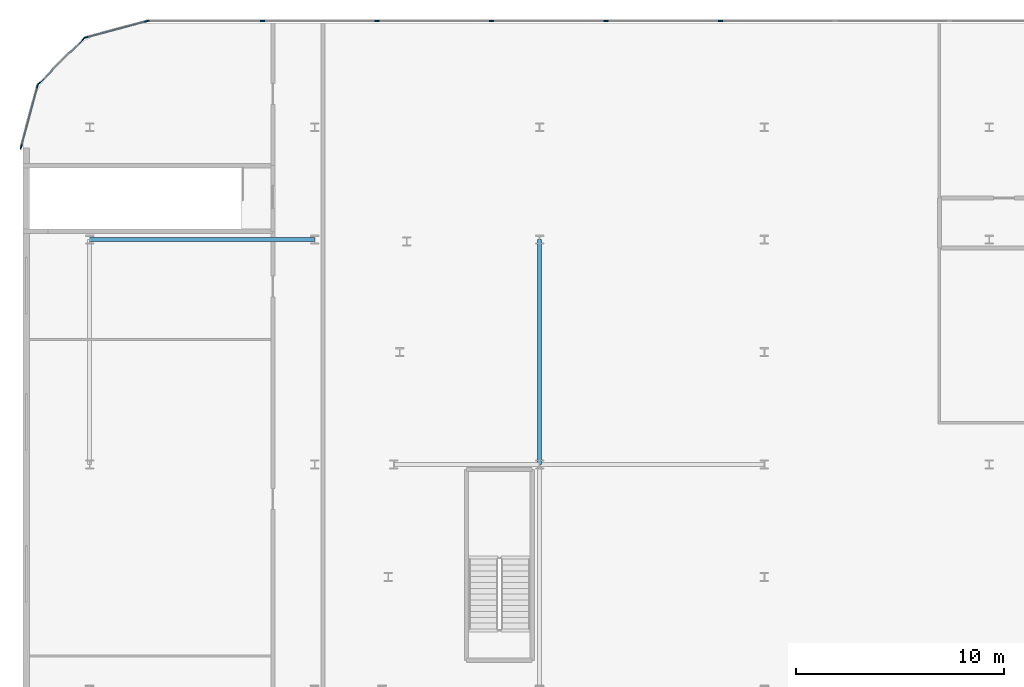
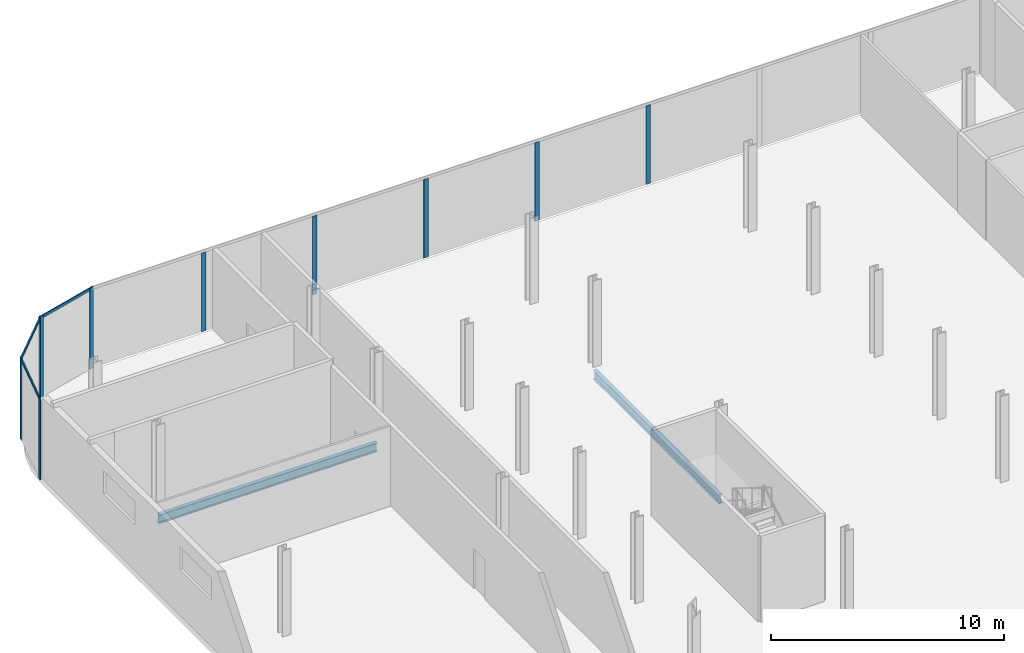
# One storey, part 16 of 43: 14 members, 2 beams, 4 elements without a shape of their own.
"""IFC4 building model written with IfcOpenShell, lengths in metres."""

from ifc_helpers import new_model, si_unit, direction, frame, origin, origin_2d, place, context, subcontext, project, spatial, rectangle, i_section, extrude, material, layer, layer_set, material_profile, profile_set, type_object, element, aggregate, save


model = new_model("IFC4")

# Units and contexts
model_context = context("Model", 3, precision=1e-05, world=origin(), true_north=direction((0.0, 1.0)))
body_context = subcontext(model_context, "Body", "Model", "MODEL_VIEW")
ifc_project = project(units=[si_unit("LENGTHUNIT", "METRE"), si_unit("AREAUNIT", "SQUARE_METRE"), si_unit("VOLUMEUNIT", "CUBIC_METRE"), si_unit("PLANEANGLEUNIT", "RADIAN"), si_unit("MASSUNIT", "GRAM", prefix="KILO")], contexts=[model_context])

# Site, building, storey
site_placement = place(None, origin())
site = spatial("IfcSite", under=ifc_project, at=site_placement, CompositionType="ELEMENT")
building_placement = place(site_placement, origin())
building = spatial("IfcBuilding", under=site, at=building_placement, Name="Kheshtan School and Residences Tower", CompositionType="ELEMENT")
storey_placement = place(building_placement, frame((0.0, 0.0, 26.0)))
storey = spatial("IfcBuildingStorey", under=building, at=storey_placement, Name="L05", CompositionType="ELEMENT", Elevation=26.0)

# Beams
ifc_material_1 = material(Name="Steel ASTM A992 Grade 50", Category="steel")
ifc_material_profile_1 = material_profile(ifc_material_1, i_section(OverallWidth=0.194091796875, OverallDepth=0.468994140625, WebThickness=0.0126953125, FlangeThickness=0.0205078125, FilletRadius=0.01416015625, at=origin_2d()), Name="W460x106")
ifc_profile_set_1 = profile_set([ifc_material_profile_1], Name="Steel ASTM A992 Grade 50")
beam_type = type_object("IfcBeamType", Name="Beam PB2 W460x106 ASTM A992 Grade 50", PredefinedType="BEAM", material=ifc_profile_set_1)
for number, where, z_axis, x_axis, name in (
    (1, (36.800048828125, 88.800048828125, -0.534423828125), (0.0, 1.0, 0.0), (-1.0, 0.0, 0.0), "Podium floor beam PB2"),
    (2, (15.199951171875, 99.60009765625, -0.534423828125), (1.0, 0.0, 0.0), (0.0, 1.0, 0.0), "Podium floor beam PB2"),
):
    element("IfcBeam", number, at=place(storey_placement, frame(where, z_axis=z_axis, x_axis=x_axis)), inside=storey, type_object=beam_type, Name=name, PredefinedType="BEAM", context=body_context, shape_type="SweptSolid", body=[
        extrude(i_section(OverallWidth=0.194091796875, OverallDepth=0.468994140625, WebThickness=0.0126953125, FlangeThickness=0.0205078125, FilletRadius=0.01416015625, at=origin_2d()), origin(), (0.0, 0.0, 1.0), 10.800048828125),
    ])

# Curtain wall, members
ifc_material_2 = material(Name="Clear low-e glass in thermally broken aluminium frame", Category="aluminium")
ifc_layer = layer(ifc_material_2, 0.22509765625)
ifc_layer_set = layer_set([ifc_layer], Name="Curtain wall CW-P")
curtain_wall_type = type_object("IfcCurtainWallType", Name="Curtain wall CW-P", PredefinedType="NOTDEFINED", material=ifc_layer_set)
curtain_wall_1_placement = place(storey_placement, origin())
curtain_wall_1 = element("IfcCurtainWall", 3, at=curtain_wall_1_placement, inside=storey, type_object=curtain_wall_type, Name="Curtain wall CWP1a", PredefinedType="NOTDEFINED")
ifc_material_3 = material(Name="Thermally broken aluminium, dark bronze anodised", Category="aluminium")
ifc_material_profile_2 = material_profile(ifc_material_3, rectangle(XDim=0.06005859375, YDim=0.22509765625, at=origin_2d()), Name="CW-P mullion 60x225")
ifc_profile_set_2 = profile_set([ifc_material_profile_2], Name="Thermally broken aluminium, dark bronze anodised")
member_type_1 = type_object("IfcMemberType", Name="CW-P mullion 60x225", PredefinedType="MULLION", material=ifc_profile_set_2)
member_1_placement = place(storey_placement, frame((11.9111328125, 104.054931640625, 0.0), z_axis=(0.0, 0.0, 1.0), x_axis=(-0.965913556273, 0.258864833085, 0.0)))
member_1 = element("IfcMember", 4, at=member_1_placement, type_object=member_type_1, Name="CWP1a mullion 1", PredefinedType="MULLION", context=body_context, shape_type="SweptSolid", body=[
    extrude(rectangle(XDim=0.06005859375, YDim=0.22509765625, at=origin_2d()), origin(), (0.0, 0.0, 1.0), 4.25),
])
member_2_placement = place(storey_placement, frame((12.69970703125, 106.996826171875, 0.0), z_axis=(0.0, 0.0, 1.0), x_axis=(-0.965913556273, 0.258864833085, 0.0)))
member_2 = element("IfcMember", 5, at=member_2_placement, type_object=member_type_1, Name="CWP1a mullion 2", PredefinedType="MULLION", context=body_context, shape_type="SweptSolid", body=[
    extrude(rectangle(XDim=0.06005859375, YDim=0.22509765625, at=origin_2d()), origin(), (0.0, 0.0, 1.0), 4.25),
])

curtain_wall_2_placement = place(storey_placement, origin())
curtain_wall_2 = element("IfcCurtainWall", 6, at=curtain_wall_2_placement, inside=storey, type_object=curtain_wall_type, Name="Curtain wall CWP2a", PredefinedType="NOTDEFINED")
member_3_placement = place(storey_placement, frame((12.75439453125, 107.092041015625, 0.0), z_axis=(0.0, 0.0, 1.0), x_axis=(-0.707106781187, 0.707106781187, 0.0)))
member_3 = element("IfcMember", 7, at=member_3_placement, type_object=member_type_1, Name="CWP2a mullion 1", PredefinedType="MULLION", context=body_context, shape_type="SweptSolid", body=[
    extrude(rectangle(XDim=0.06005859375, YDim=0.22509765625, at=origin_2d()), origin(), (0.0, 0.0, 1.0), 4.25),
])
member_4_placement = place(storey_placement, frame((14.907958984375, 109.24560546875, 0.0), z_axis=(0.0, 0.0, 1.0), x_axis=(-0.707106781187, 0.707106781187, 0.0)))
member_4 = element("IfcMember", 8, at=member_4_placement, type_object=member_type_1, Name="CWP2a mullion 2", PredefinedType="MULLION", context=body_context, shape_type="SweptSolid", body=[
    extrude(rectangle(XDim=0.06005859375, YDim=0.22509765625, at=origin_2d()), origin(), (0.0, 0.0, 1.0), 4.25),
])

curtain_wall_3_placement = place(storey_placement, origin())
curtain_wall_3 = element("IfcCurtainWall", 9, at=curtain_wall_3_placement, inside=storey, type_object=curtain_wall_type, Name="Curtain wall CWP3a", PredefinedType="NOTDEFINED")
member_5_placement = place(storey_placement, frame((15.003173828125, 109.30029296875, 0.0), z_axis=(0.0, 0.0, 1.0), x_axis=(-0.258864833085, 0.965913556273, 0.0)))
member_5 = element("IfcMember", 10, at=member_5_placement, type_object=member_type_1, Name="CWP3a mullion 1", PredefinedType="MULLION", context=body_context, shape_type="SweptSolid", body=[
    extrude(rectangle(XDim=0.06005859375, YDim=0.22509765625, at=origin_2d()), origin(), (0.0, 0.0, 1.0), 4.25),
])
member_6_placement = place(storey_placement, frame((17.945068359375, 110.0888671875, 0.0), z_axis=(0.0, 0.0, 1.0), x_axis=(-0.258864833085, 0.965913556273, 0.0)))
member_6 = element("IfcMember", 11, at=member_6_placement, type_object=member_type_1, Name="CWP3a mullion 2", PredefinedType="MULLION", context=body_context, shape_type="SweptSolid", body=[
    extrude(rectangle(XDim=0.06005859375, YDim=0.22509765625, at=origin_2d()), origin(), (0.0, 0.0, 1.0), 4.25),
])

curtain_wall_4_placement = place(storey_placement, origin())
curtain_wall_4 = element("IfcCurtainWall", 12, at=curtain_wall_4_placement, inside=storey, type_object=curtain_wall_type, Name="Curtain wall CWP4a", PredefinedType="NOTDEFINED")
member_7_placement = place(storey_placement, frame((23.498291015625, 110.10009765625, 0.0), z_axis=(0.0, 0.0, 1.0), x_axis=(0.0, 1.0, 0.0)))
member_7 = element("IfcMember", 13, at=member_7_placement, type_object=member_type_1, Name="CWP4a mullion 2", PredefinedType="MULLION", context=body_context, shape_type="SweptSolid", body=[
    extrude(rectangle(XDim=0.06005859375, YDim=0.22509765625, at=origin_2d()), origin(), (0.0, 0.0, 1.0), 4.110107421875),
])
member_8_placement = place(storey_placement, frame((28.996337890625, 110.10009765625, 0.0), z_axis=(0.0, 0.0, 1.0), x_axis=(0.0, 1.0, 0.0)))
member_8 = element("IfcMember", 14, at=member_8_placement, type_object=member_type_1, Name="CWP4a mullion 3", PredefinedType="MULLION", context=body_context, shape_type="SweptSolid", body=[
    extrude(rectangle(XDim=0.06005859375, YDim=0.22509765625, at=origin_2d()), origin(), (0.0, 0.0, 1.0), 4.110107421875),
])
member_9_placement = place(storey_placement, frame((34.49462890625, 110.10009765625, 0.0), z_axis=(0.0, 0.0, 1.0), x_axis=(0.0, 1.0, 0.0)))
member_9 = element("IfcMember", 15, at=member_9_placement, type_object=member_type_1, Name="CWP4a mullion 4", PredefinedType="MULLION", context=body_context, shape_type="SweptSolid", body=[
    extrude(rectangle(XDim=0.06005859375, YDim=0.22509765625, at=origin_2d()), origin(), (0.0, 0.0, 1.0), 4.110107421875),
])
member_10_placement = place(storey_placement, frame((39.99267578125, 110.10009765625, 0.0), z_axis=(0.0, 0.0, 1.0), x_axis=(0.0, 1.0, 0.0)))
member_10 = element("IfcMember", 16, at=member_10_placement, type_object=member_type_1, Name="CWP4a mullion 5", PredefinedType="MULLION", context=body_context, shape_type="SweptSolid", body=[
    extrude(rectangle(XDim=0.06005859375, YDim=0.22509765625, at=origin_2d()), origin(), (0.0, 0.0, 1.0), 4.110107421875),
])
member_11_placement = place(storey_placement, frame((45.490966796875, 110.10009765625, 0.0), z_axis=(0.0, 0.0, 1.0), x_axis=(0.0, 1.0, 0.0)))
member_11 = element("IfcMember", 17, at=member_11_placement, type_object=member_type_1, Name="CWP4a mullion 6", PredefinedType="MULLION", context=body_context, shape_type="SweptSolid", body=[
    extrude(rectangle(XDim=0.06005859375, YDim=0.22509765625, at=origin_2d()), origin(), (0.0, 0.0, 1.0), 4.110107421875),
])
aggregate(curtain_wall_4, [member_7, member_8, member_9, member_10, member_11])

# Member
ifc_material_profile_3 = material_profile(ifc_material_3, rectangle(XDim=0.06005859375, YDim=0.139892578125, at=origin_2d()), Name="CW-P transom 60x140")
ifc_profile_set_3 = profile_set([ifc_material_profile_3], Name="Thermally broken aluminium, dark bronze anodised")
member_type_2 = type_object("IfcMemberType", Name="CW-P transom 60x140", PredefinedType="USERDEFINED", material=ifc_profile_set_3)
member_12_placement = place(storey_placement, frame((11.9189453125, 104.083740234375, 4.179931640625), z_axis=(0.258853238275, 0.965916663607, 0.0), x_axis=(-0.965916663607, 0.258853238275, 0.0)))
member_12 = element("IfcMember", 18, at=member_12_placement, type_object=member_type_2, Name="CWP1a transom 1", ObjectType="TRANSOM", PredefinedType="USERDEFINED", context=body_context, shape_type="SweptSolid", body=[
    extrude(rectangle(XDim=0.06005859375, YDim=0.139892578125, at=origin_2d()), origin(), (0.0, 0.0, 1.0), 2.986083984375),
])

aggregate(curtain_wall_1, [member_1, member_2, member_12])

member_13_placement = place(storey_placement, frame((12.775634765625, 107.113037109375, 4.179931640625), z_axis=(0.707106781187, 0.707106781187, 0.0), x_axis=(-0.707106781187, 0.707106781187, 0.0)))
member_13 = element("IfcMember", 19, at=member_13_placement, type_object=member_type_2, Name="CWP2a transom 1", ObjectType="TRANSOM", PredefinedType="USERDEFINED", context=body_context, shape_type="SweptSolid", body=[
    extrude(rectangle(XDim=0.06005859375, YDim=0.139892578125, at=origin_2d()), origin(), (0.0, 0.0, 1.0), 2.98583984375),
])

aggregate(curtain_wall_2, [member_3, member_4, member_13])

member_14_placement = place(storey_placement, frame((15.031982421875, 109.30810546875, 4.179931640625), z_axis=(0.965916663607, 0.258853238275, 0.0), x_axis=(-0.258853238275, 0.965916663607, 0.0)))
member_14 = element("IfcMember", 20, at=member_14_placement, type_object=member_type_2, Name="CWP3a transom 1", ObjectType="TRANSOM", PredefinedType="USERDEFINED", context=body_context, shape_type="SweptSolid", body=[
    extrude(rectangle(XDim=0.06005859375, YDim=0.139892578125, at=origin_2d()), origin(), (0.0, 0.0, 1.0), 2.986083984375),
])

aggregate(curtain_wall_3, [member_5, member_6, member_14])

save(model, "model.ifc")
